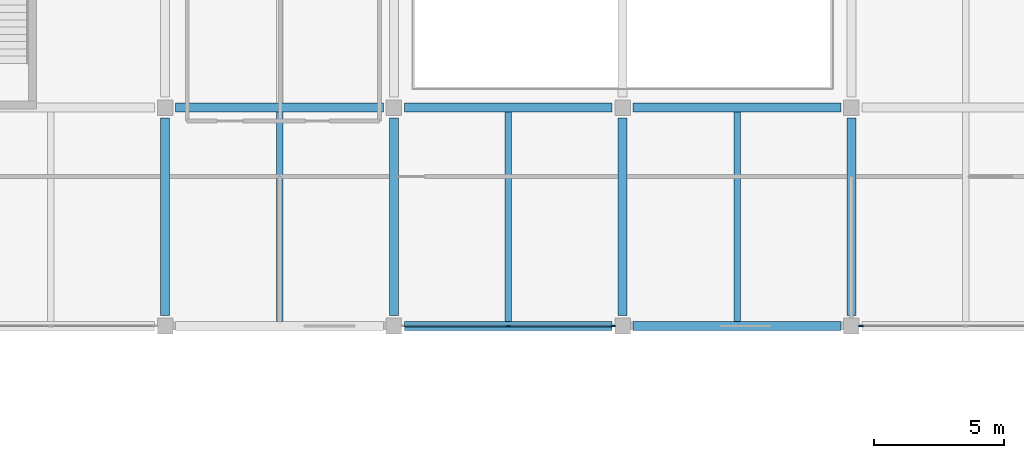
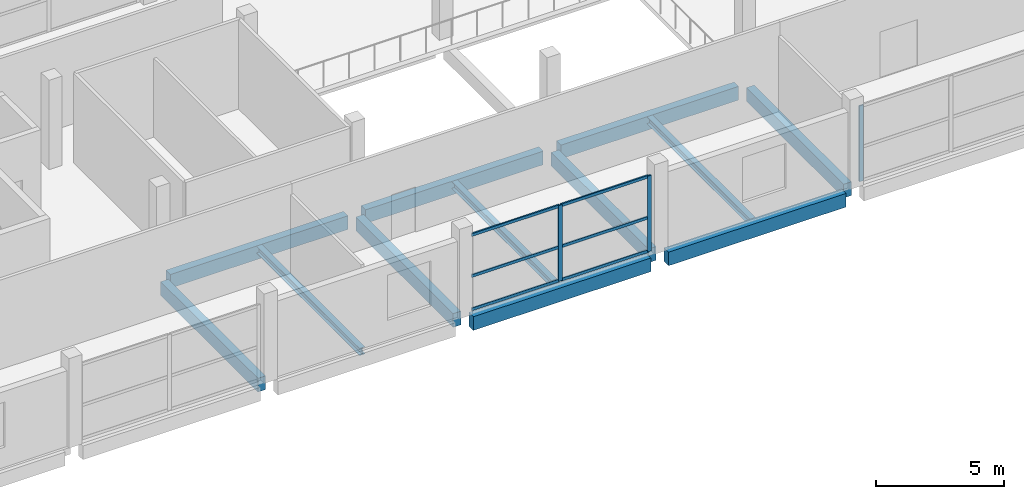
# One storey, part 7 of 38: 12 beams, 9 members, 2 elements without a shape of their own.
"""IFC4 building model written with IfcOpenShell, lengths in metres."""

import ifcopenshell
import ifcopenshell.guid

model = None  # the IFC model being written
_history = None  # IfcOwnerHistory: only IFC2X3 demands one
_inside = {}  # id of a spatial element -> (the spatial element, [elements in it])
_under = {}  # id of a project, library or spatial element -> (it, [spatial elements below it])
_declared = {}  # id of a project -> (the project, [libraries it declares])
_typed = {}  # id of a type object -> (the type object, [elements of that type])
_made_of = {}  # id of a material, layer set ... -> (it, [elements and type objects made of it])


def new_model(schema):
    """Start an empty IFC model of exactly this schema.

    Asked for "IFC4X3", IfcOpenShell would pick the latest addendum, in which some entities
    have other attributes; the version numbers below select the first issue.
    IFC2X3 requires an IfcOwnerHistory on every rooted entity: one is made here for all.
    """
    global model, _history
    if schema == "IFC4X3":
        model = ifcopenshell.file(schema_version=(4, 3, 0, 0))
    else:
        model = ifcopenshell.file(schema=schema)
    _inside.clear()
    _under.clear()
    _declared.clear()
    _typed.clear()
    _made_of.clear()
    _history = None
    if model.schema == "IFC2X3":
        org = make("IfcOrganization", Name="unknown")
        user = make(
            "IfcPersonAndOrganization",
            ThePerson=make("IfcPerson", FamilyName="unknown"),
            TheOrganization=org,
        )
        app = make(
            "IfcApplication",
            ApplicationDeveloper=org,
            Version="unknown",
            ApplicationFullName="unknown",
            ApplicationIdentifier="unknown",
        )
        _history = make(
            "IfcOwnerHistory",
            OwningUser=user,
            OwningApplication=app,
            ChangeAction="ADDED",
            CreationDate=0,
        )
    return model


def make(cls, **values):
    """One entity of the class cls with the attributes given. An attribute that is None is left unset."""
    return model.create_entity(
        cls, **{name: value for name, value in values.items() if value is not None}
    )


def rooted(cls, **values):
    """An entity with a GlobalId (a new one), such as an element, a storey or a relation."""
    return make(cls, GlobalId=ifcopenshell.guid.new(), OwnerHistory=_history, **values)


def si_unit(unit_type, name, prefix=None):
    """IfcSIUnit, for example si_unit("LENGTHUNIT", "METRE", prefix="MILLI")."""
    return make("IfcSIUnit", UnitType=unit_type, Prefix=prefix, Name=name)


def assignment(units):
    """IfcUnitAssignment: the units of a project."""
    return None if units is None else make("IfcUnitAssignment", Units=units)


def point(xyz):
    """IfcCartesianPoint."""
    return None if xyz is None else make("IfcCartesianPoint", Coordinates=xyz)


def direction(xyz):
    """IfcDirection."""
    return None if xyz is None else make("IfcDirection", DirectionRatios=xyz)


def frame(location, z_axis=None, x_axis=None):
    """IfcAxis2Placement3D, a coordinate frame: its origin and axes. An axis left out is left unset."""
    return make(
        "IfcAxis2Placement3D",
        Location=point(location),
        Axis=direction(z_axis),
        RefDirection=direction(x_axis),
    )


def frame_2d(location, x_axis=None):
    """IfcAxis2Placement2D, a coordinate frame in the plane: its origin and x axis."""
    return make(
        "IfcAxis2Placement2D", Location=point(location), RefDirection=direction(x_axis)
    )


def origin():
    """The frame at (0, 0, 0) with its axes left unset."""
    return frame((0.0, 0.0, 0.0))


def origin_2d():
    """The frame at (0, 0) in the plane with its x axis left unset."""
    return frame_2d((0.0, 0.0))


def place(relative_to, where):
    """IfcLocalPlacement: puts the frame where relative to a parent placement (None: the world)."""
    return make(
        "IfcLocalPlacement", PlacementRelTo=relative_to, RelativePlacement=where
    )


def context(
    kind, dimensions, precision=None, world=None, true_north=None, identifier=None
):
    """IfcGeometricRepresentationContext, for example the 3D "Model" context."""
    return make(
        "IfcGeometricRepresentationContext",
        ContextIdentifier=identifier,
        ContextType=kind,
        CoordinateSpaceDimension=dimensions,
        Precision=precision,
        WorldCoordinateSystem=world,
        TrueNorth=true_north,
    )


def subcontext(parent, identifier, kind, view, scale=None):
    """IfcGeometricRepresentationSubContext, for example "Body" below "Model"."""
    return make(
        "IfcGeometricRepresentationSubContext",
        ContextIdentifier=identifier,
        ContextType=kind,
        ParentContext=parent,
        TargetScale=scale,
        TargetView=view,
    )


def project(units=None, contexts=None):
    """IfcProject with its units and contexts."""
    return rooted(
        "IfcProject",
        Name="project",
        RepresentationContexts=contexts,
        UnitsInContext=assignment(units),
    )


def spatial(cls, under=None, at=None, **own):
    """A site, building, storey or space (cls), placed at a placement, below another one or the project."""
    s = rooted(cls, ObjectPlacement=at, **own)
    if under is not None:
        _under.setdefault(under.id(), (under, []))[1].append(s)
    return s


def profile(cls, at=None, kind="AREA", **sizes):
    """A parametric profile (cls). Its sizes go by their IFC names, for example OverallWidth=200.0."""
    return make(cls, ProfileType=kind, Position=at, **sizes)


def rectangle(**sizes):
    """IfcRectangleProfileDef."""
    return profile("IfcRectangleProfileDef", **sizes)


def i_section(**sizes):
    """IfcIShapeProfileDef."""
    return profile("IfcIShapeProfileDef", **sizes)


def extrude(swept, where, along, depth):
    """IfcExtrudedAreaSolid: the profile swept, set in the frame where, extruded along a direction by depth."""
    return make(
        "IfcExtrudedAreaSolid",
        SweptArea=swept,
        Position=where,
        ExtrudedDirection=direction(along),
        Depth=depth,
    )


def shape(context_of_items, identifier, shape_type, items):
    """IfcShapeRepresentation: the items that make up one representation, for example the "Body"."""
    return make(
        "IfcShapeRepresentation",
        ContextOfItems=context_of_items,
        RepresentationIdentifier=identifier,
        RepresentationType=shape_type,
        Items=items,
    )


def material(Name=None, Category=None):
    """IfcMaterial."""
    return make("IfcMaterial", Name=Name, Category=Category)


def material_profile(
    of_material, cross_section, Name=None, Category=None, Priority=None
):
    """IfcMaterialProfile: a cross section and its material."""
    return make(
        "IfcMaterialProfile",
        Name=Name,
        Material=of_material,
        Profile=cross_section,
        Priority=Priority,
        Category=Category,
    )


def profile_set(profiles, Name=None, composite=None):
    """IfcMaterialProfileSet."""
    return make(
        "IfcMaterialProfileSet",
        Name=Name,
        MaterialProfiles=profiles,
        CompositeProfile=composite,
    )


def made_of(thing, what):
    """Note that an element or type object is made of a material, layer set ...; save() writes the relation."""
    if what is not None:
        _made_of.setdefault(what.id(), (what, []))[1].append(thing)
    return thing


def type_object(cls, material=None, **own):
    """A type object (cls), such as IfcWallType, which elements share."""
    return made_of(rooted(cls, **own), material)


def element(
    cls,
    number,
    at=None,
    inside=None,
    cuts=None,
    type_object=None,
    material=None,
    context=None,
    identifier="Body",
    shape_type=None,
    held_by="IfcProductDefinitionShape",
    body=None,
    shapes=None,
    **own,
):
    """One element of the class cls, such as IfcWall. Its Tag is "e" and its number.

    at: its placement. inside: the storey or other place that contains it. cuts: it is an
    opening in that element (IfcRelVoidsElement). A single representation is given by context,
    identifier, shape_type and body (its items); several are given by shapes. held_by: the class
    of the entity that holds the representations. save() writes the other relations.
    """
    e = rooted(cls, Tag="e%d" % number, ObjectPlacement=at, **own)
    if body is not None:
        shapes = [shape(context, identifier, shape_type, body)]
    if shapes is not None:
        e.Representation = make(held_by, Representations=shapes)
    if inside is not None:
        _inside.setdefault(inside.id(), (inside, []))[1].append(e)
    if cuts is not None:
        rooted(
            "IfcRelVoidsElement", RelatingBuildingElement=cuts, RelatedOpeningElement=e
        )
    if type_object is not None:
        _typed.setdefault(type_object.id(), (type_object, []))[1].append(e)
    return made_of(e, material)


def aggregate(whole, parts):
    """IfcRelAggregates: a whole, such as a stair, and the parts it consists of."""
    return rooted("IfcRelAggregates", RelatingObject=whole, RelatedObjects=parts)


def save(model, path):
    """Write the relations noted so far, then the file.

    IfcRelAggregates (storeys below a building ...), IfcRelContainedInSpatialStructure (elements
    in a storey), IfcRelDefinesByType, IfcRelAssociatesMaterial and IfcRelDeclares: one each for
    every whole, place, type object, material and project.
    """
    for whole, parts in _under.values():
        aggregate(whole, parts)
    for where, things in _inside.values():
        rooted(
            "IfcRelContainedInSpatialStructure",
            RelatedElements=things,
            RelatingStructure=where,
        )
    for kind, things in _typed.values():
        rooted("IfcRelDefinesByType", RelatedObjects=things, RelatingType=kind)
    for what, things in _made_of.values():
        rooted("IfcRelAssociatesMaterial", RelatedObjects=things, RelatingMaterial=what)
    for by, libraries in _declared.values():
        rooted("IfcRelDeclares", RelatingContext=by, RelatedDefinitions=libraries)
    model.write(path)


model = new_model("IFC4")

# Units and contexts
model_context = context("Model", 3, precision=1e-05, world=origin(), true_north=direction((0.0, 1.0)))
body_context = subcontext(model_context, "Body", "Model", "MODEL_VIEW")
ifc_project = project(units=[si_unit("LENGTHUNIT", "METRE"), si_unit("AREAUNIT", "SQUARE_METRE"), si_unit("VOLUMEUNIT", "CUBIC_METRE"), si_unit("PLANEANGLEUNIT", "RADIAN"), si_unit("MASSUNIT", "GRAM", prefix="KILO")], contexts=[model_context])

# Site, building, storey
site_placement = place(None, origin())
site = spatial("IfcSite", under=ifc_project, at=site_placement, CompositionType="ELEMENT")
building_placement = place(site_placement, origin())
building = spatial("IfcBuilding", under=site, at=building_placement, Name="Brinegate Botanical Conservatory", CompositionType="ELEMENT")
storey_placement = place(building_placement, frame((0.0, 0.0, 10.199951171875)))
storey = spatial("IfcBuildingStorey", under=building, at=storey_placement, Name="L03", CompositionType="ELEMENT", Elevation=10.199951171875)

# Beams
ifc_material_1 = material(Name="Concrete C40/50", Category="concrete")
ifc_material_profile_1 = material_profile(ifc_material_1, rectangle(XDim=0.35009765625, YDim=0.64990234375, at=origin_2d()), Name="RC BM 350x650")
ifc_profile_set_1 = profile_set([ifc_material_profile_1], Name="Concrete C40/50")
beam_type_1 = type_object("IfcBeamType", Name="Beam_BM-V3", PredefinedType="BEAM", material=ifc_profile_set_1)
for number, where, z_axis, x_axis, name in (
    (1, (77.60009765625, 86.800048828125, -0.544921875), (1.0, 0.0, 0.0), (0.0, 1.0, 0.0), "Beam BM-V3 L03 L:10-11"),
    (2, (86.39990234375, 86.800048828125, -0.544921875), (1.0, 0.0, 0.0), (0.0, 1.0, 0.0), "Beam BM-V3 L03 L:11-12"),
    (3, (68.800048828125, 95.199951171875, -0.544921875), (1.0, 0.0, 0.0), (0.0, 1.0, 0.0), "Beam BM-V3 L03 M:9-10"),
    (4, (77.60009765625, 95.199951171875, -0.544921875), (1.0, 0.0, 0.0), (0.0, 1.0, 0.0), "Beam BM-V3 L03 M:10-11"),
    (5, (86.39990234375, 95.199951171875, -0.544921875), (1.0, 0.0, 0.0), (0.0, 1.0, 0.0), "Beam BM-V3 L03 M:11-12"),
):
    element("IfcBeam", number, at=place(storey_placement, frame(where, z_axis=z_axis, x_axis=x_axis)), inside=storey, type_object=beam_type_1, Name=name, PredefinedType="BEAM", context=body_context, shape_type="SweptSolid", body=[
        extrude(rectangle(XDim=0.35009765625, YDim=0.64990234375, at=origin_2d()), origin(), (0.0, 0.0, 1.0), 8.0),
    ])
for number, where, z_axis, x_axis, name in (
    (6, (68.39990234375, 87.199951171875, -0.544921875), (0.0, 1.0, 0.0), (-1.0, 0.0, 0.0), "Beam BM-V3 L03 9:L-M"),
    (7, (77.199951171875, 87.199951171875, -0.544921875), (0.0, 1.0, 0.0), (-1.0, 0.0, 0.0), "Beam BM-V3 L03 10:L-M"),
    (8, (86.0, 87.199951171875, -0.544921875), (0.0, 1.0, 0.0), (-1.0, 0.0, 0.0), "Beam BM-V3 L03 11:L-M"),
    (9, (94.800048828125, 87.199951171875, -0.544921875), (0.0, 1.0, 0.0), (-1.0, 0.0, 0.0), "Beam BM-V3 L03 12:L-M"),
):
    element("IfcBeam", number, at=place(storey_placement, frame(where, z_axis=z_axis, x_axis=x_axis)), inside=storey, type_object=beam_type_1, Name=name, PredefinedType="BEAM", context=body_context, shape_type="SweptSolid", body=[
        extrude(rectangle(XDim=0.35009765625, YDim=0.64990234375, at=origin_2d()), origin(), (0.0, 0.0, 1.0), 7.60009765625),
    ])
ifc_material_2 = material(Name="Structural steel Q355B / S355", Category="steel")
ifc_material_profile_2 = material_profile(ifc_material_2, i_section(OverallWidth=0.25, OverallDepth=0.340087890625, WebThickness=0.009033203125, FlangeThickness=0.013916015625, at=origin_2d()), Name="HM 340x250x9x14")
ifc_profile_set_2 = profile_set([ifc_material_profile_2], Name="Structural steel Q355B / S355")
beam_type_2 = type_object("IfcBeamType", Name="Beam_JS-S5", PredefinedType="JOIST", material=ifc_profile_set_2)
for number, where, z_axis, x_axis, name in (
    (10, (72.800048828125, 86.97509765625, -0.389892578125), (0.0, 1.0, 0.0), (-1.0, 0.0, 0.0), "Floor joist JS-S5 L03 bay 9.11"),
    (11, (81.60009765625, 86.97509765625, -0.389892578125), (0.0, 1.0, 0.0), (-1.0, 0.0, 0.0), "Floor joist JS-S5 L03 bay 10.11"),
    (12, (90.39990234375, 86.97509765625, -0.389892578125), (0.0, 1.0, 0.0), (-1.0, 0.0, 0.0), "Floor joist JS-S5 L03 bay 11.11"),
):
    element("IfcBeam", number, at=place(storey_placement, frame(where, z_axis=z_axis, x_axis=x_axis)), inside=storey, type_object=beam_type_2, Name=name, PredefinedType="JOIST", context=body_context, shape_type="SweptSolid", body=[
        extrude(i_section(OverallWidth=0.25, OverallDepth=0.340087890625, WebThickness=0.009033203125, FlangeThickness=0.013916015625, at=origin_2d()), origin(), (0.0, 0.0, 1.0), 8.0498046875),
    ])

# Curtain wall, members
ifc_material_3 = material(Name="Thermally broken anodised aluminium AW-6063-T6", Category="aluminium")
curtain_wall_type = type_object("IfcCurtainWallType", Name="CW_CW-V3", PredefinedType="USERDEFINED", material=ifc_material_3)
curtain_wall_1_placement = place(storey_placement, origin())
curtain_wall_1 = element("IfcCurtainWall", 13, at=curtain_wall_1_placement, inside=storey, type_object=curtain_wall_type, Name="Visitor south court curtain wall L03.4", ObjectType="FACTORY CURTAIN WALL", PredefinedType="USERDEFINED")
ifc_material_profile_3 = material_profile(ifc_material_3, rectangle(XDim=0.06494140625, YDim=0.179931640625, at=origin_2d()), Name="ALUM MULLION 65x180")
ifc_profile_set_3 = profile_set([ifc_material_profile_3], Name="Thermally broken anodised aluminium AW-6063-T6")
member_type_1 = type_object("IfcMemberType", Name="Member_ML-02", PredefinedType="MULLION", material=ifc_profile_set_3)
member_1_placement = place(storey_placement, frame((85.62744140625, 86.800048828125, 0.0), z_axis=(0.0, 0.0, 1.0), x_axis=(0.0, -1.0, 0.0)))
member_1 = element("IfcMember", 14, at=member_1_placement, type_object=member_type_1, Name="CW-V3 mullion 1", PredefinedType="MULLION", context=body_context, shape_type="SweptSolid", body=[
    extrude(rectangle(XDim=0.06494140625, YDim=0.179931640625, at=origin_2d()), origin(), (0.0, 0.0, 1.0), 3.610107421875),
])
member_2_placement = place(storey_placement, frame((81.60009765625, 86.800048828125, 0.0), z_axis=(0.0, 0.0, 1.0), x_axis=(0.0, -1.0, 0.0)))
member_2 = element("IfcMember", 15, at=member_2_placement, type_object=member_type_1, Name="CW-V3 mullion 2", PredefinedType="MULLION", context=body_context, shape_type="SweptSolid", body=[
    extrude(rectangle(XDim=0.06494140625, YDim=0.179931640625, at=origin_2d()), origin(), (0.0, 0.0, 1.0), 3.610107421875),
])

# Curtain wall, member
curtain_wall_2_placement = place(storey_placement, origin())
curtain_wall_2 = element("IfcCurtainWall", 16, at=curtain_wall_2_placement, inside=storey, type_object=curtain_wall_type, Name="Visitor south court curtain wall L03.6", ObjectType="FACTORY CURTAIN WALL", PredefinedType="USERDEFINED")
member_3_placement = place(storey_placement, frame((95.172607421875, 86.800048828125, 0.0), z_axis=(0.0, 0.0, 1.0), x_axis=(0.0, -1.0, 0.0)))
member_3 = element("IfcMember", 17, at=member_3_placement, type_object=member_type_1, Name="CW-V3 mullion 3", PredefinedType="MULLION", context=body_context, shape_type="SweptSolid", body=[
    extrude(rectangle(XDim=0.06494140625, YDim=0.179931640625, at=origin_2d()), origin(), (0.0, 0.0, 1.0), 3.610107421875),
])
aggregate(curtain_wall_2, [member_3])

# Member
ifc_material_profile_4 = material_profile(ifc_material_3, rectangle(XDim=0.06494140625, YDim=0.135009765625, at=origin_2d()), Name="ALUM TRANSOM 65x135")
ifc_profile_set_4 = profile_set([ifc_material_profile_4], Name="Thermally broken anodised aluminium AW-6063-T6")
member_type_2 = type_object("IfcMemberType", Name="Member_TR-02", PredefinedType="USERDEFINED", material=ifc_profile_set_4)
member_4_placement = place(storey_placement, frame((85.594970703125, 86.800048828125, 0.032470703125), z_axis=(-1.0, 0.0, 0.0), x_axis=(0.0, -1.0, 0.0)))
member_4 = element("IfcMember", 18, at=member_4_placement, type_object=member_type_2, Name="CW-V3 transom 1.1", ObjectType="TRANSOM", PredefinedType="USERDEFINED", context=body_context, shape_type="SweptSolid", body=[
    extrude(rectangle(XDim=0.06494140625, YDim=0.135009765625, at=origin_2d()), origin(), (0.0, 0.0, 1.0), 3.96240234375),
])

member_5_placement = place(storey_placement, frame((85.594970703125, 86.800048828125, 1.625), z_axis=(-1.0, 0.0, 0.0), x_axis=(0.0, -1.0, 0.0)))
member_5 = element("IfcMember", 19, at=member_5_placement, type_object=member_type_2, Name="CW-V3 transom 1.2", ObjectType="TRANSOM", PredefinedType="USERDEFINED", context=body_context, shape_type="SweptSolid", body=[
    extrude(rectangle(XDim=0.06494140625, YDim=0.135009765625, at=origin_2d()), origin(), (0.0, 0.0, 1.0), 3.96240234375),
])

member_6_placement = place(storey_placement, frame((85.594970703125, 86.800048828125, 3.57763671875), z_axis=(-1.0, 0.0, 0.0), x_axis=(0.0, -1.0, 0.0)))
member_6 = element("IfcMember", 20, at=member_6_placement, type_object=member_type_2, Name="CW-V3 transom 1.3", ObjectType="TRANSOM", PredefinedType="USERDEFINED", context=body_context, shape_type="SweptSolid", body=[
    extrude(rectangle(XDim=0.06494140625, YDim=0.135009765625, at=origin_2d()), origin(), (0.0, 0.0, 1.0), 3.96240234375),
])

member_7_placement = place(storey_placement, frame((81.5673828125, 86.800048828125, 0.032470703125), z_axis=(-1.0, 0.0, 0.0), x_axis=(0.0, -1.0, 0.0)))
member_7 = element("IfcMember", 21, at=member_7_placement, type_object=member_type_2, Name="CW-V3 transom 2.1", ObjectType="TRANSOM", PredefinedType="USERDEFINED", context=body_context, shape_type="SweptSolid", body=[
    extrude(rectangle(XDim=0.06494140625, YDim=0.135009765625, at=origin_2d()), origin(), (0.0, 0.0, 1.0), 3.96240234375),
])

member_8_placement = place(storey_placement, frame((81.5673828125, 86.800048828125, 1.625), z_axis=(-1.0, 0.0, 0.0), x_axis=(0.0, -1.0, 0.0)))
member_8 = element("IfcMember", 22, at=member_8_placement, type_object=member_type_2, Name="CW-V3 transom 2.2", ObjectType="TRANSOM", PredefinedType="USERDEFINED", context=body_context, shape_type="SweptSolid", body=[
    extrude(rectangle(XDim=0.06494140625, YDim=0.135009765625, at=origin_2d()), origin(), (0.0, 0.0, 1.0), 3.96240234375),
])

member_9_placement = place(storey_placement, frame((81.5673828125, 86.800048828125, 3.57763671875), z_axis=(-1.0, 0.0, 0.0), x_axis=(0.0, -1.0, 0.0)))
member_9 = element("IfcMember", 23, at=member_9_placement, type_object=member_type_2, Name="CW-V3 transom 2.3", ObjectType="TRANSOM", PredefinedType="USERDEFINED", context=body_context, shape_type="SweptSolid", body=[
    extrude(rectangle(XDim=0.06494140625, YDim=0.135009765625, at=origin_2d()), origin(), (0.0, 0.0, 1.0), 3.96240234375),
])

aggregate(curtain_wall_1, [member_1, member_2, member_4, member_5, member_6, member_7, member_8, member_9])

save(model, "model.ifc")
